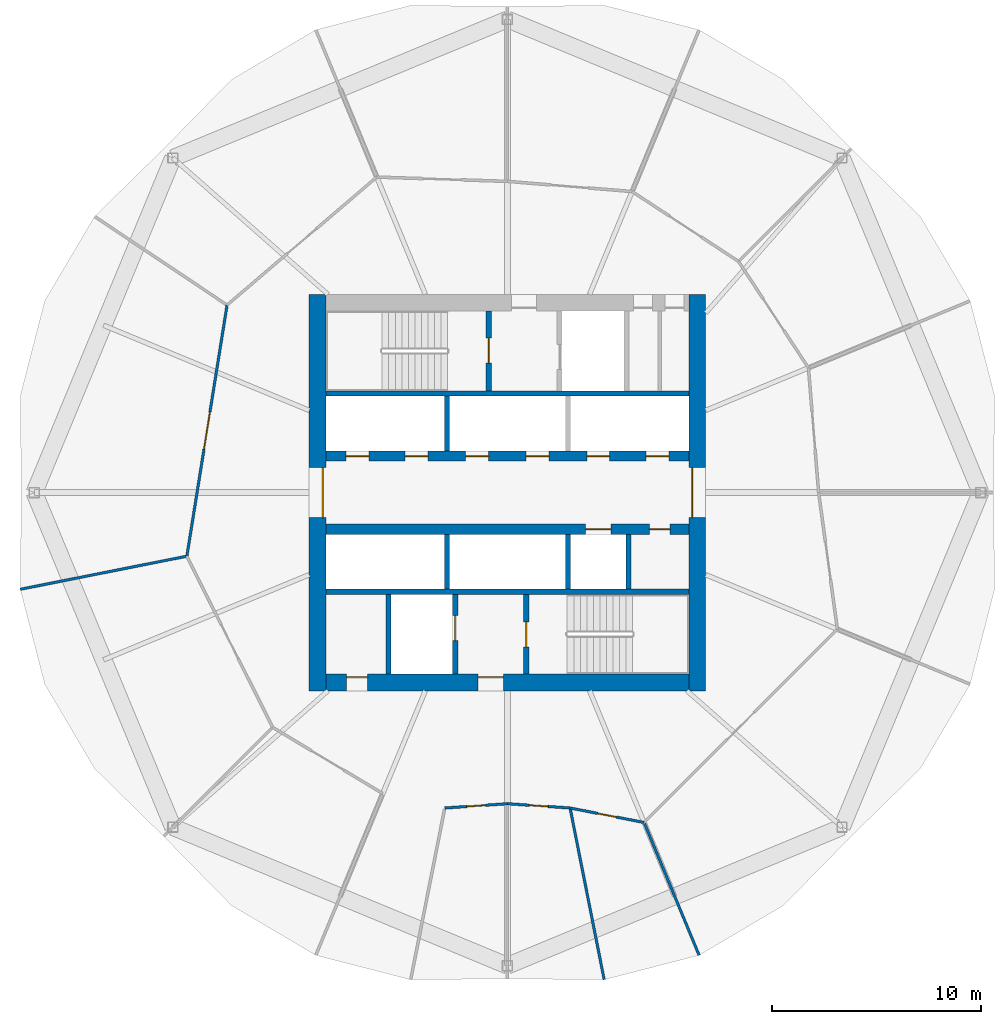
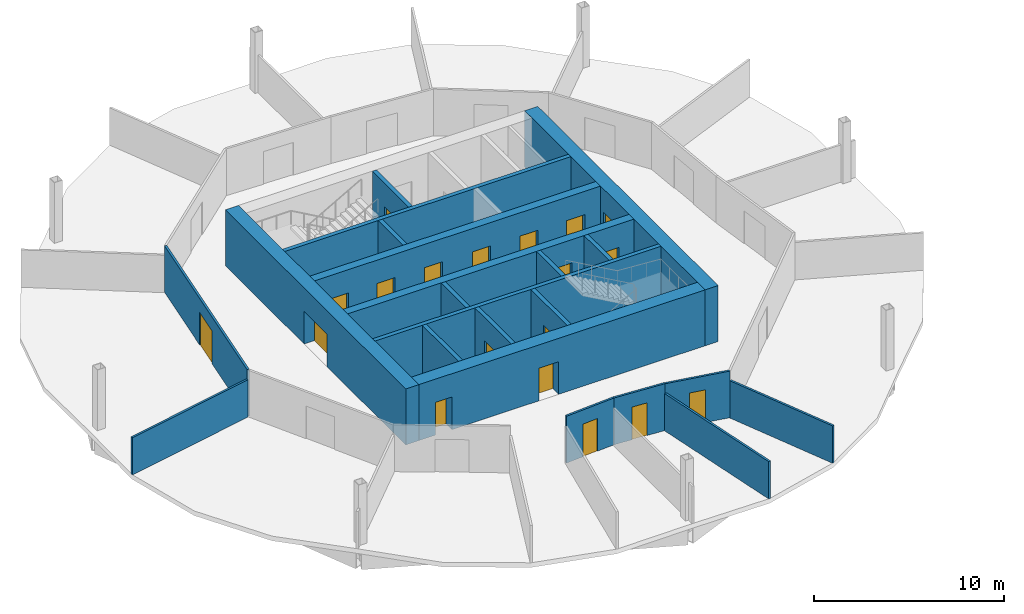
# One storey, part 4 of 9: 22 walls, 19 doors, 19 openings.
"""IFC4 building model written with IfcOpenShell, lengths in metres."""

from ifc_helpers import new_model, si_unit, direction, frame, frame_2d, origin, place, context, subcontext, project, spatial, rectangle, extrude, material, layer, layer_set, type_object, element, fill, save


model = new_model("IFC4")

# Units and contexts
model_context = context("Model", 3, precision=1e-05, world=origin(), true_north=direction((0.0, 1.0)))
body_context = subcontext(model_context, "Body", "Model", "MODEL_VIEW")
ifc_project = project(units=[si_unit("LENGTHUNIT", "METRE"), si_unit("AREAUNIT", "SQUARE_METRE"), si_unit("VOLUMEUNIT", "CUBIC_METRE"), si_unit("PLANEANGLEUNIT", "RADIAN"), si_unit("MASSUNIT", "GRAM", prefix="KILO")], contexts=[model_context])

# Site, building, storey
site_placement = place(None, origin())
site = spatial("IfcSite", under=ifc_project, at=site_placement, CompositionType="ELEMENT")
building_placement = place(site_placement, origin())
building = spatial("IfcBuilding", under=site, at=building_placement, Name="Ogive Gate Towers", CompositionType="ELEMENT")
storey_placement = place(building_placement, frame((0.0, 0.0, 84.0)))
storey = spatial("IfcBuildingStorey", under=building, at=storey_placement, Name="L19", CompositionType="ELEMENT", Elevation=84.0)

# Wall, openings, doors
ifc_material_1 = material(Name="Concrete C60/75", Category="concrete")
ifc_layer_1 = layer(ifc_material_1, 0.800048828125)
ifc_layer_set_1 = layer_set([ifc_layer_1], Name="Core wall 800 mm")
wall_type_1 = type_object("IfcWallType", Name="Core wall 800 mm", PredefinedType="SHEAR", material=ifc_layer_set_1)
wall_1_placement = place(storey_placement, frame((-44.699951171875, -9.10009765625, 0.0), z_axis=(0.0, 0.0, 1.0), x_axis=(1.0, 0.0, 0.0)))
wall_1 = element("IfcWall", 1, at=wall_1_placement, inside=storey, type_object=wall_type_1, Name="T1 L19 Core wall 800 mm", PredefinedType="SHEAR", context=body_context, shape_type="SweptSolid", body=[
    extrude(rectangle(XDim=17.39990234375, YDim=0.800048828125, at=frame_2d((8.699951171875, 0.0))), origin(), (0.0, 0.0, 1.0), 3.60009765625),
])
opening_1_placement = place(wall_1_placement, frame((7.300048828125, 0.0, 0.0)))
opening_1 = element("IfcOpeningElement", 2, at=opening_1_placement, cuts=wall_1, Name="Opening KD-T1-L19-16", PredefinedType="OPENING", context=body_context, shape_type="SweptSolid", body=[
    extrude(rectangle(XDim=1.199951171875, YDim=2.10009765625, at=frame_2d((0.60009765625, 1.050048828125))), frame((0.0, 0.41015625, 0.0), z_axis=(0.0, -1.0, 0.0), x_axis=(1.0, 0.0, 0.0)), (0.0, 0.0, 1.0), 0.820068359375),
])
opening_2_placement = place(wall_1_placement, frame((1.0, 0.0, 0.0)))
opening_2 = element("IfcOpeningElement", 3, at=opening_2_placement, cuts=wall_1, Name="Opening KD-T1-L19-19", PredefinedType="OPENING", context=body_context, shape_type="SweptSolid", body=[
    extrude(rectangle(XDim=1.0, YDim=2.10009765625, at=frame_2d((0.5, 1.050048828125))), frame((0.0, 0.41015625, 0.0), z_axis=(0.0, -1.0, 0.0), x_axis=(1.0, 0.0, 0.0)), (0.0, 0.0, 1.0), 0.820068359375),
])
ifc_material_2 = material(Name="Timber door", Category="wood")
door_type_1 = type_object("IfcDoorType", Name="Accessible WC door 1000 x 2100", OperationType="NOTDEFINED", PredefinedType="DOOR", material=ifc_material_2)
door_1_placement = place(opening_2_placement, origin())
door_1 = element("IfcDoor", 4, at=door_1_placement, inside=storey, type_object=door_type_1, Name="T1 L19 Core door", OperationType="SINGLE_SWING_RIGHT", OverallHeight=2.10009765625, OverallWidth=1.0, PredefinedType="DOOR", context=body_context, shape_type="SweptSolid", body=[
    extrude(rectangle(XDim=1.0, YDim=2.10009765625, at=frame_2d((0.5, 1.050048828125))), frame((0.0, 0.27490234375, 0.0), z_axis=(0.0, -1.0, 0.0), x_axis=(1.0, 0.0, 0.0)), (0.0, 0.0, 1.0), 0.050048828125),
])
fill(opening_2, door_1)
ifc_material_3 = material(Name="Steel fire door", Category="steel")
door_type_2 = type_object("IfcDoorType", Name="Core door FD60S 1200 x 2100", OperationType="NOTDEFINED", PredefinedType="DOOR", material=ifc_material_3)
door_2_placement = place(opening_1_placement, origin())
door_2 = element("IfcDoor", 5, at=door_2_placement, inside=storey, type_object=door_type_2, Name="T1 L19 Fire-fighting lobby door", OperationType="SINGLE_SWING_LEFT", OverallHeight=2.10009765625, OverallWidth=1.199951171875, PredefinedType="DOOR", context=body_context, shape_type="SweptSolid", body=[
    extrude(rectangle(XDim=1.199951171875, YDim=2.10009765625, at=frame_2d((0.60009765625, 1.050048828125))), frame((0.0, 0.27490234375, 0.0), z_axis=(0.0, -1.0, 0.0), x_axis=(1.0, 0.0, 0.0)), (0.0, 0.0, 1.0), 0.050048828125),
])
fill(opening_1, door_2)

# Wall, opening, door
wall_2_placement = place(storey_placement, frame((-45.10009765625, -9.5, 0.0), z_axis=(0.0, 0.0, 1.0), x_axis=(0.0, 1.0, 0.0)))
wall_2 = element("IfcWall", 6, at=wall_2_placement, inside=storey, type_object=wall_type_1, Name="T1 L19 Core wall 800 mm", PredefinedType="SHEAR", context=body_context, shape_type="SweptSolid", body=[
    extrude(rectangle(XDim=19.0, YDim=0.800048828125, at=frame_2d((9.5, 0.0))), origin(), (0.0, 0.0, 1.0), 3.60009765625),
])
opening_3_placement = place(wall_2_placement, frame((8.300048828125, 0.0, 0.0)))
opening_3 = element("IfcOpeningElement", 7, at=opening_3_placement, cuts=wall_2, Name="Opening KD-T1-L19-01", PredefinedType="OPENING", context=body_context, shape_type="SweptSolid", body=[
    extrude(rectangle(XDim=2.39990234375, YDim=2.10009765625, at=frame_2d((1.199951171875, 1.050048828125))), frame((0.0, 0.41015625, 0.0), z_axis=(0.0, -1.0, 0.0), x_axis=(1.0, 0.0, 0.0)), (0.0, 0.0, 1.0), 0.820068359375),
])
door_type_3 = type_object("IfcDoorType", Name="Core double door FD60S 2400 x 2100", OperationType="DOUBLE_DOOR_SINGLE_SWING", PredefinedType="DOOR", material=ifc_material_3)
door_3_placement = place(opening_3_placement, origin())
door_3 = element("IfcDoor", 8, at=door_3_placement, inside=storey, type_object=door_type_3, Name="T1 L19 Core door double", OperationType="DOUBLE_DOOR_SINGLE_SWING", OverallHeight=2.10009765625, OverallWidth=2.39990234375, PredefinedType="DOOR", context=body_context, shape_type="SweptSolid", body=[
    extrude(rectangle(XDim=2.39990234375, YDim=2.10009765625, at=frame_2d((1.199951171875, 1.050048828125))), frame((0.0, -0.22509765625, 0.0), z_axis=(0.0, -1.0, 0.0), x_axis=(1.0, 0.0, 0.0)), (0.0, 0.0, 1.0), 0.050048828125),
])
fill(opening_3, door_3)

wall_3_placement = place(storey_placement, frame((-26.89990234375, -9.5, 0.0), z_axis=(0.0, 0.0, 1.0), x_axis=(0.0, 1.0, 0.0)))
wall_3 = element("IfcWall", 9, at=wall_3_placement, inside=storey, type_object=wall_type_1, Name="T1 L19 Core wall 800 mm", PredefinedType="SHEAR", context=body_context, shape_type="SweptSolid", body=[
    extrude(rectangle(XDim=19.0, YDim=0.800048828125, at=frame_2d((9.5, 0.0))), origin(), (0.0, 0.0, 1.0), 3.60009765625),
])
opening_4_placement = place(wall_3_placement, frame((8.300048828125, 0.0, 0.0)))
opening_4 = element("IfcOpeningElement", 10, at=opening_4_placement, cuts=wall_3, Name="Opening KD-T1-L19-02", PredefinedType="OPENING", context=body_context, shape_type="SweptSolid", body=[
    extrude(rectangle(XDim=2.39990234375, YDim=2.10009765625, at=frame_2d((1.199951171875, 1.050048828125))), frame((0.0, 0.41015625, 0.0), z_axis=(0.0, -1.0, 0.0), x_axis=(1.0, 0.0, 0.0)), (0.0, 0.0, 1.0), 0.820068359375),
])
door_4_placement = place(opening_4_placement, origin())
door_4 = element("IfcDoor", 11, at=door_4_placement, inside=storey, type_object=door_type_3, Name="T1 L19 Core door double", OperationType="DOUBLE_DOOR_SINGLE_SWING", OverallHeight=2.10009765625, OverallWidth=2.39990234375, PredefinedType="DOOR", context=body_context, shape_type="SweptSolid", body=[
    extrude(rectangle(XDim=2.39990234375, YDim=2.10009765625, at=frame_2d((1.199951171875, 1.050048828125))), frame((0.0, 0.27490234375, 0.0), z_axis=(0.0, -1.0, 0.0), x_axis=(1.0, 0.0, 0.0)), (0.0, 0.0, 1.0), 0.050048828125),
])
fill(opening_4, door_4)

# Walls
ifc_material_4 = material(Name="Gypsum board partition")
ifc_layer_2 = layer(ifc_material_4, 0.125)
ifc_layer_set_2 = layer_set([ifc_layer_2], Name="Partition 125")
wall_type_2 = type_object("IfcWallType", Name="Partition 125", PredefinedType="PARTITIONING", material=ifc_layer_set_2)
wall_4_placement = place(storey_placement, frame((-59.34375, -4.6357421875, 0.0), z_axis=(0.0, 0.0, 1.0), x_axis=(0.980844858088, 0.194790565382, 0.0)))
element("IfcWall", 12, at=wall_4_placement, inside=storey, type_object=wall_type_2, Name="Partition T1-L19-008", PredefinedType="PARTITIONING", context=body_context, shape_type="SweptSolid", body=[
    extrude(rectangle(XDim=8.07666015625, YDim=0.125, at=frame_2d((4.038330078125, 0.0))), origin(), (0.0, 0.0, 1.0), 2.39990234375),
])
wall_5_placement = place(storey_placement, frame((-31.3642578125, -23.34375, 0.0), z_axis=(0.0, 0.0, 1.0), x_axis=(-0.194779590765, 0.980847037525, 0.0)))
element("IfcWall", 13, at=wall_5_placement, inside=storey, type_object=wall_type_2, Name="Partition T1-L19-013", PredefinedType="PARTITIONING", context=body_context, shape_type="SweptSolid", body=[
    extrude(rectangle(XDim=8.326416015625, YDim=0.125, at=frame_2d((4.1630859375, 0.0))), origin(), (0.0, 0.0, 1.0), 2.39990234375),
])
wall_6_placement = place(storey_placement, frame((-26.815673828125, -22.173095703125, 0.0), z_axis=(0.0, 0.0, 1.0), x_axis=(-0.382671864206, 0.923884324115, 0.0)))
element("IfcWall", 14, at=wall_6_placement, inside=storey, type_object=wall_type_2, Name="Partition T1-L19-014", PredefinedType="PARTITIONING", context=body_context, shape_type="SweptSolid", body=[
    extrude(rectangle(XDim=6.826416015625, YDim=0.125, at=frame_2d((3.4130859375, 0.0))), origin(), (0.0, 0.0, 1.0), 2.39990234375),
])

# Wall, opening, door
wall_7_placement = place(storey_placement, frame((-39.001708984375, -15.115478515625, 0.0), z_axis=(0.0, 0.0, 1.0), x_axis=(0.997663247132, 0.068323095086, 0.0)))
wall_7 = element("IfcWall", 15, at=wall_7_placement, inside=storey, type_object=wall_type_2, Name="Partition T1-L19-016", PredefinedType="PARTITIONING", context=body_context, shape_type="SweptSolid", body=[
    extrude(rectangle(XDim=3.0087890625, YDim=0.125, at=frame_2d((1.50439453125, 0.0))), origin(), (0.0, 0.0, 1.0), 3.010009765625),
])
opening_5_placement = place(wall_7_placement, frame((1.053955078125, 0.0, 0.0)))
opening_5 = element("IfcOpeningElement", 16, at=opening_5_placement, cuts=wall_7, Name="Opening T1-L19-D01", PredefinedType="OPENING", context=body_context, shape_type="SweptSolid", body=[
    extrude(rectangle(XDim=0.89990234375, YDim=2.10009765625, at=frame_2d((0.449951171875, 1.050048828125))), frame((0.0, 0.072509765625, 0.0), z_axis=(0.0, -1.0, 0.0), x_axis=(1.0, 0.0, 0.0)), (0.0, 0.0, 1.0), 0.14501953125),
])
door_type_4 = type_object("IfcDoorType", Name="Door 900", OperationType="NOTDEFINED", PredefinedType="DOOR", material=ifc_material_2)
door_5_placement = place(opening_5_placement, origin())
door_5 = element("IfcDoor", 17, at=door_5_placement, inside=storey, type_object=door_type_4, Name="Door T1-L19-D01", OperationType="SINGLE_SWING_RIGHT", OverallHeight=2.10009765625, OverallWidth=0.89990234375, PredefinedType="DOOR", context=body_context, shape_type="SweptSolid", body=[
    extrude(rectangle(XDim=0.89990234375, YDim=2.10009765625, at=frame_2d((0.449951171875, 1.050048828125))), frame((0.0, 0.02490234375, 0.0), z_axis=(0.0, -1.0, 0.0), x_axis=(1.0, 0.0, 0.0)), (0.0, 0.0, 1.0), 0.050048828125),
])
fill(opening_5, door_5)

wall_8_placement = place(storey_placement, frame((-36.0, -14.909912109375, 0.0), z_axis=(0.0, 0.0, 1.0), x_axis=(0.997663247132, -0.068323095086, 0.0)))
wall_8 = element("IfcWall", 18, at=wall_8_placement, inside=storey, type_object=wall_type_2, Name="Partition T1-L19-017", PredefinedType="PARTITIONING", context=body_context, shape_type="SweptSolid", body=[
    extrude(rectangle(XDim=3.0087890625, YDim=0.125, at=frame_2d((1.50439453125, 0.0))), origin(), (0.0, 0.0, 1.0), 3.010009765625),
])
opening_6_placement = place(wall_8_placement, frame((1.053955078125, 0.0, 0.0)))
opening_6 = element("IfcOpeningElement", 19, at=opening_6_placement, cuts=wall_8, Name="Opening T1-L19-D02", PredefinedType="OPENING", context=body_context, shape_type="SweptSolid", body=[
    extrude(rectangle(XDim=0.89990234375, YDim=2.10009765625, at=frame_2d((0.449951171875, 1.050048828125))), frame((0.0, 0.072509765625, 0.0), z_axis=(0.0, -1.0, 0.0), x_axis=(1.0, 0.0, 0.0)), (0.0, 0.0, 1.0), 0.14501953125),
])
door_6_placement = place(opening_6_placement, origin())
door_6 = element("IfcDoor", 20, at=door_6_placement, inside=storey, type_object=door_type_4, Name="Door T1-L19-D02", OperationType="SINGLE_SWING_LEFT", OverallHeight=2.10009765625, OverallWidth=0.89990234375, PredefinedType="DOOR", context=body_context, shape_type="SweptSolid", body=[
    extrude(rectangle(XDim=0.89990234375, YDim=2.10009765625, at=frame_2d((0.449951171875, 1.050048828125))), frame((0.0, 0.02490234375, 0.0), z_axis=(0.0, -1.0, 0.0), x_axis=(1.0, 0.0, 0.0)), (0.0, 0.0, 1.0), 0.050048828125),
])
fill(opening_6, door_6)

wall_9_placement = place(storey_placement, frame((-32.998291015625, -15.115478515625, 0.0), z_axis=(0.0, 0.0, 1.0), x_axis=(0.981431383332, -0.191813554817, 0.0)))
wall_9 = element("IfcWall", 21, at=wall_9_placement, inside=storey, type_object=wall_type_2, Name="Partition T1-L19-018", PredefinedType="PARTITIONING", context=body_context, shape_type="SweptSolid", body=[
    extrude(rectangle(XDim=3.613525390625, YDim=0.125, at=frame_2d((1.806640625, 0.0))), origin(), (0.0, 0.0, 1.0), 3.0),
])
opening_7_placement = place(wall_9_placement, frame((1.35693359375, 0.0, 0.0)))
opening_7 = element("IfcOpeningElement", 22, at=opening_7_placement, cuts=wall_9, Name="Opening T1-L19-D03", PredefinedType="OPENING", context=body_context, shape_type="SweptSolid", body=[
    extrude(rectangle(XDim=0.89990234375, YDim=2.10009765625, at=frame_2d((0.449951171875, 1.050048828125))), frame((0.0, 0.072509765625, 0.0), z_axis=(0.0, -1.0, 0.0), x_axis=(1.0, 0.0, 0.0)), (0.0, 0.0, 1.0), 0.14501953125),
])
door_7_placement = place(opening_7_placement, origin())
door_7 = element("IfcDoor", 23, at=door_7_placement, inside=storey, type_object=door_type_4, Name="Door T1-L19-D03", OperationType="SINGLE_SWING_RIGHT", OverallHeight=2.10009765625, OverallWidth=0.89990234375, PredefinedType="DOOR", context=body_context, shape_type="SweptSolid", body=[
    extrude(rectangle(XDim=0.89990234375, YDim=2.10009765625, at=frame_2d((0.449951171875, 1.050048828125))), frame((0.0, 0.02490234375, 0.0), z_axis=(0.0, -1.0, 0.0), x_axis=(1.0, 0.0, 0.0)), (0.0, 0.0, 1.0), 0.050048828125),
])
fill(opening_7, door_7)

wall_10_placement = place(storey_placement, frame((-49.43408203125, 8.982666015625, 0.0), z_axis=(0.0, 0.0, 1.0), x_axis=(-0.158089733584, -0.987424749606, 0.0)))
wall_10 = element("IfcWall", 24, at=wall_10_placement, inside=storey, type_object=wall_type_2, Name="Partition T1-L19-027", PredefinedType="PARTITIONING", context=body_context, shape_type="SweptSolid", body=[
    extrude(rectangle(XDim=12.186279296875, YDim=0.125, at=frame_2d((6.09326171875, 0.0))), origin(), (0.0, 0.0, 1.0), 3.0),
])
opening_8_placement = place(wall_10_placement, frame((5.193115234375, 0.0, 0.0)))
opening_8 = element("IfcOpeningElement", 25, at=opening_8_placement, cuts=wall_10, Name="Opening T1-L19-D12", PredefinedType="OPENING", context=body_context, shape_type="SweptSolid", body=[
    extrude(rectangle(XDim=1.800048828125, YDim=2.10009765625, at=frame_2d((0.89990234375, 1.050048828125))), frame((0.0, 0.072509765625, 0.0), z_axis=(0.0, -1.0, 0.0), x_axis=(1.0, 0.0, 0.0)), (0.0, 0.0, 1.0), 0.14501953125),
])
door_type_5 = type_object("IfcDoorType", Name="Door pair 1800", OperationType="NOTDEFINED", PredefinedType="DOOR", material=ifc_material_2)
door_8_placement = place(opening_8_placement, origin())
door_8 = element("IfcDoor", 26, at=door_8_placement, inside=storey, type_object=door_type_5, Name="Door T1-L19-D12", OperationType="DOUBLE_DOOR_DOUBLE_SWING", OverallHeight=2.10009765625, OverallWidth=1.800048828125, PredefinedType="DOOR", context=body_context, shape_type="SweptSolid", body=[
    extrude(rectangle(XDim=1.800048828125, YDim=2.10009765625, at=frame_2d((0.89990234375, 1.050048828125))), frame((0.0, 0.02490234375, 0.0), z_axis=(0.0, -1.0, 0.0), x_axis=(1.0, 0.0, 0.0)), (0.0, 0.0, 1.0), 0.050048828125),
])
fill(opening_8, door_8)

# Walls
ifc_layer_3 = layer(ifc_material_1, 0.25)
ifc_layer_set_3 = layer_set([ifc_layer_3], Name="Shaft wall 250 mm")
wall_type_3 = type_object("IfcWallType", Name="Shaft wall 250 mm", PredefinedType="SHEAR", material=ifc_layer_set_3)
for number, where, z_axis, x_axis, name in (
    (27, (-44.699951171875, -4.75, 0.0), (0.0, 0.0, 1.0), (1.0, 0.0, 0.0), "T1 L19 Shaft wall 250 mm"),
    (28, (-44.699951171875, 4.75, 0.0), (0.0, 0.0, 1.0), (1.0, 0.0, 0.0), "T1 L19 Shaft wall 250 mm"),
):
    element("IfcWall", number, at=place(storey_placement, frame(where, z_axis=z_axis, x_axis=x_axis)), inside=storey, type_object=wall_type_3, Name=name, PredefinedType="SHEAR", context=body_context, shape_type="SweptSolid", body=[
        extrude(rectangle(XDim=17.39990234375, YDim=0.25, at=frame_2d((8.699951171875, 0.0))), origin(), (0.0, 0.0, 1.0), 3.60009765625),
    ])
wall_11_placement = place(storey_placement, frame((-41.699951171875, -8.699951171875, 0.0), z_axis=(0.0, 0.0, 1.0), x_axis=(0.0, 1.0, 0.0)))
element("IfcWall", 29, at=wall_11_placement, inside=storey, type_object=wall_type_3, Name="T1 L19 Shaft wall 250 mm", PredefinedType="SHEAR", context=body_context, shape_type="SweptSolid", body=[
    extrude(rectangle(XDim=3.824951171875, YDim=0.25, at=frame_2d((1.91259765625, 0.0))), origin(), (0.0, 0.0, 1.0), 3.60009765625),
])
for number, where, z_axis, x_axis, name in (
    (30, (-38.89990234375, -4.625, 0.0), (0.0, 0.0, 1.0), (0.0, 1.0, 0.0), "T1 L19 Shaft wall 250 mm"),
    (31, (-38.89990234375, 2.0, 0.0), (0.0, 0.0, 1.0), (0.0, 1.0, 0.0), "T1 L19 Shaft wall 250 mm"),
):
    element("IfcWall", number, at=place(storey_placement, frame(where, z_axis=z_axis, x_axis=x_axis)), inside=storey, type_object=wall_type_3, Name=name, PredefinedType="SHEAR", context=body_context, shape_type="SweptSolid", body=[
        extrude(rectangle(XDim=2.625, YDim=0.25, at=frame_2d((1.3125, 0.0))), origin(), (0.0, 0.0, 1.0), 3.60009765625),
    ])

# Wall, opening, door
wall_12_placement = place(storey_placement, frame((-38.5, -8.699951171875, 0.0), z_axis=(0.0, 0.0, 1.0), x_axis=(0.0, 1.0, 0.0)))
wall_12 = element("IfcWall", 32, at=wall_12_placement, inside=storey, type_object=wall_type_3, Name="T1 L19 Shaft wall 250 mm", PredefinedType="SHEAR", context=body_context, shape_type="SweptSolid", body=[
    extrude(rectangle(XDim=3.824951171875, YDim=0.25, at=frame_2d((1.91259765625, 0.0))), origin(), (0.0, 0.0, 1.0), 3.60009765625),
])
opening_9_placement = place(wall_12_placement, frame((1.60009765625, 0.0, 0.0)))
opening_9 = element("IfcOpeningElement", 33, at=opening_9_placement, cuts=wall_12, Name="Opening LD-T1-L19-11", PredefinedType="OPENING", context=body_context, shape_type="SweptSolid", body=[
    extrude(rectangle(XDim=1.199951171875, YDim=2.10009765625, at=frame_2d((0.60009765625, 1.050048828125))), frame((0.0, 0.135009765625, 0.0), z_axis=(0.0, -1.0, 0.0), x_axis=(1.0, 0.0, 0.0)), (0.0, 0.0, 1.0), 0.27001953125),
])
ifc_material_5 = material(Name="Stainless steel landing door", Category="steel")
door_type_6 = type_object("IfcDoorType", Name="Landing door 1200 x 2100", OperationType="SLIDING_TO_LEFT", PredefinedType="DOOR", material=ifc_material_5)
door_9_placement = place(opening_9_placement, origin())
door_9 = element("IfcDoor", 34, at=door_9_placement, inside=storey, type_object=door_type_6, Name="T1 L19 Lift landing door FF2", OperationType="SLIDING_TO_LEFT", OverallHeight=2.10009765625, OverallWidth=1.199951171875, PredefinedType="DOOR", context=body_context, shape_type="SweptSolid", body=[
    extrude(rectangle(XDim=1.199951171875, YDim=2.10009765625, at=frame_2d((0.60009765625, 1.050048828125))), frame((0.0, 0.02490234375, 0.0), z_axis=(0.0, -1.0, 0.0), x_axis=(1.0, 0.0, 0.0)), (0.0, 0.0, 1.0), 0.050048828125),
])
fill(opening_9, door_9)

wall_13_placement = place(storey_placement, frame((-36.89990234375, 4.875, 0.0), z_axis=(0.0, 0.0, 1.0), x_axis=(0.0, 1.0, 0.0)))
wall_13 = element("IfcWall", 35, at=wall_13_placement, inside=storey, type_object=wall_type_3, Name="T1 L19 Shaft wall 250 mm", PredefinedType="SHEAR", context=body_context, shape_type="SweptSolid", body=[
    extrude(rectangle(XDim=3.824951171875, YDim=0.25, at=frame_2d((1.91259765625, 0.0))), origin(), (0.0, 0.0, 1.0), 3.60009765625),
])
opening_10_placement = place(wall_13_placement, frame((1.324951171875, 0.0, 0.0)))
opening_10 = element("IfcOpeningElement", 36, at=opening_10_placement, cuts=wall_13, Name="Opening KD-T1-L19-13", PredefinedType="OPENING", context=body_context, shape_type="SweptSolid", body=[
    extrude(rectangle(XDim=1.199951171875, YDim=2.10009765625, at=frame_2d((0.60009765625, 1.050048828125))), frame((0.0, 0.135009765625, 0.0), z_axis=(0.0, -1.0, 0.0), x_axis=(1.0, 0.0, 0.0)), (0.0, 0.0, 1.0), 0.27001953125),
])
door_10_placement = place(opening_10_placement, origin())
door_10 = element("IfcDoor", 37, at=door_10_placement, inside=storey, type_object=door_type_2, Name="T1 L19 Stair door", OperationType="SINGLE_SWING_RIGHT", OverallHeight=2.10009765625, OverallWidth=1.199951171875, PredefinedType="DOOR", context=body_context, shape_type="SweptSolid", body=[
    extrude(rectangle(XDim=1.199951171875, YDim=2.10009765625, at=frame_2d((0.60009765625, 1.050048828125))), frame((0.0, 0.02490234375, 0.0), z_axis=(0.0, -1.0, 0.0), x_axis=(1.0, 0.0, 0.0)), (0.0, 0.0, 1.0), 0.050048828125),
])
fill(opening_10, door_10)

wall_14_placement = place(storey_placement, frame((-35.10009765625, -8.699951171875, 0.0), z_axis=(0.0, 0.0, 1.0), x_axis=(0.0, 1.0, 0.0)))
wall_14 = element("IfcWall", 38, at=wall_14_placement, inside=storey, type_object=wall_type_3, Name="T1 L19 Shaft wall 250 mm", PredefinedType="SHEAR", context=body_context, shape_type="SweptSolid", body=[
    extrude(rectangle(XDim=3.824951171875, YDim=0.25, at=frame_2d((1.91259765625, 0.0))), origin(), (0.0, 0.0, 1.0), 3.60009765625),
])
opening_11_placement = place(wall_14_placement, frame((1.300048828125, 0.0, 0.0)))
opening_11 = element("IfcOpeningElement", 39, at=opening_11_placement, cuts=wall_14, Name="Opening KD-T1-L19-14", PredefinedType="OPENING", context=body_context, shape_type="SweptSolid", body=[
    extrude(rectangle(XDim=1.199951171875, YDim=2.10009765625, at=frame_2d((0.60009765625, 1.050048828125))), frame((0.0, 0.135009765625, 0.0), z_axis=(0.0, -1.0, 0.0), x_axis=(1.0, 0.0, 0.0)), (0.0, 0.0, 1.0), 0.27001953125),
])
door_11_placement = place(opening_11_placement, origin())
door_11 = element("IfcDoor", 40, at=door_11_placement, inside=storey, type_object=door_type_2, Name="T1 L19 Stair door", OperationType="SINGLE_SWING_LEFT", OverallHeight=2.10009765625, OverallWidth=1.199951171875, PredefinedType="DOOR", context=body_context, shape_type="SweptSolid", body=[
    extrude(rectangle(XDim=1.199951171875, YDim=2.10009765625, at=frame_2d((0.60009765625, 1.050048828125))), frame((0.0, 0.02490234375, 0.0), z_axis=(0.0, -1.0, 0.0), x_axis=(1.0, 0.0, 0.0)), (0.0, 0.0, 1.0), 0.050048828125),
])
fill(opening_11, door_11)

# Walls
for number, where, z_axis, x_axis, name in (
    (41, (-33.10009765625, -4.625, 0.0), (0.0, 0.0, 1.0), (0.0, 1.0, 0.0), "T1 L19 Shaft wall 250 mm"),
    (42, (-30.199951171875, -4.625, 0.0), (0.0, 0.0, 1.0), (0.0, 1.0, 0.0), "T1 L19 Shaft wall 250 mm"),
):
    element("IfcWall", number, at=place(storey_placement, frame(where, z_axis=z_axis, x_axis=x_axis)), inside=storey, type_object=wall_type_3, Name=name, PredefinedType="SHEAR", context=body_context, shape_type="SweptSolid", body=[
        extrude(rectangle(XDim=2.625, YDim=0.25, at=frame_2d((1.3125, 0.0))), origin(), (0.0, 0.0, 1.0), 3.60009765625),
    ])

# Wall, openings, doors
ifc_layer_4 = layer(ifc_material_1, 0.5)
ifc_layer_set_4 = layer_set([ifc_layer_4], Name="Spine wall 500 mm")
wall_type_4 = type_object("IfcWallType", Name="Spine wall 500 mm", PredefinedType="SHEAR", material=ifc_layer_set_4)
wall_15_placement = place(storey_placement, frame((-44.699951171875, -1.75, 0.0), z_axis=(0.0, 0.0, 1.0), x_axis=(1.0, 0.0, 0.0)))
wall_15 = element("IfcWall", 43, at=wall_15_placement, inside=storey, type_object=wall_type_4, Name="T1 L19 Spine wall 500 mm", PredefinedType="SHEAR", context=body_context, shape_type="SweptSolid", body=[
    extrude(rectangle(XDim=17.39990234375, YDim=0.5, at=frame_2d((8.699951171875, 0.0))), origin(), (0.0, 0.0, 1.0), 3.60009765625),
])
opening_12_placement = place(wall_15_placement, frame((12.449951171875, 0.0, 0.0)))
opening_12 = element("IfcOpeningElement", 44, at=opening_12_placement, cuts=wall_15, Name="Opening LD-T1-L19-09", PredefinedType="OPENING", context=body_context, shape_type="SweptSolid", body=[
    extrude(rectangle(XDim=1.199951171875, YDim=2.10009765625, at=frame_2d((0.60009765625, 1.050048828125))), frame((0.0, 0.260009765625, 0.0), z_axis=(0.0, -1.0, 0.0), x_axis=(1.0, 0.0, 0.0)), (0.0, 0.0, 1.0), 0.52001953125),
])
opening_13_placement = place(wall_15_placement, frame((15.5, 0.0, 0.0)))
opening_13 = element("IfcOpeningElement", 45, at=opening_13_placement, cuts=wall_15, Name="Opening KD-T1-L19-12", PredefinedType="OPENING", context=body_context, shape_type="SweptSolid", body=[
    extrude(rectangle(XDim=1.0, YDim=2.10009765625, at=frame_2d((0.5, 1.050048828125))), frame((0.0, 0.260009765625, 0.0), z_axis=(0.0, -1.0, 0.0), x_axis=(1.0, 0.0, 0.0)), (0.0, 0.0, 1.0), 0.52001953125),
])
door_type_7 = type_object("IfcDoorType", Name="Core door FD60S 1000 x 2100", OperationType="NOTDEFINED", PredefinedType="DOOR", material=ifc_material_3)
door_12_placement = place(opening_13_placement, origin())
door_12 = element("IfcDoor", 46, at=door_12_placement, inside=storey, type_object=door_type_7, Name="T1 L19 Core door", OperationType="SINGLE_SWING_LEFT", OverallHeight=2.10009765625, OverallWidth=1.0, PredefinedType="DOOR", context=body_context, shape_type="SweptSolid", body=[
    extrude(rectangle(XDim=1.0, YDim=2.10009765625, at=frame_2d((0.5, 1.050048828125))), frame((0.0, 0.02490234375, 0.0), z_axis=(0.0, -1.0, 0.0), x_axis=(1.0, 0.0, 0.0)), (0.0, 0.0, 1.0), 0.050048828125),
])
fill(opening_13, door_12)
door_13_placement = place(opening_12_placement, origin())
door_13 = element("IfcDoor", 47, at=door_13_placement, inside=storey, type_object=door_type_6, Name="T1 L19 Lift landing door SVC", OperationType="SLIDING_TO_LEFT", OverallHeight=2.10009765625, OverallWidth=1.199951171875, PredefinedType="DOOR", context=body_context, shape_type="SweptSolid", body=[
    extrude(rectangle(XDim=1.199951171875, YDim=2.10009765625, at=frame_2d((0.60009765625, 1.050048828125))), frame((0.0, 0.02490234375, 0.0), z_axis=(0.0, -1.0, 0.0), x_axis=(1.0, 0.0, 0.0)), (0.0, 0.0, 1.0), 0.050048828125),
])
fill(opening_12, door_13)

wall_16_placement = place(storey_placement, frame((-44.699951171875, 1.75, 0.0), z_axis=(0.0, 0.0, 1.0), x_axis=(1.0, 0.0, 0.0)))
wall_16 = element("IfcWall", 48, at=wall_16_placement, inside=storey, type_object=wall_type_4, Name="T1 L19 Spine wall 500 mm", PredefinedType="SHEAR", context=body_context, shape_type="SweptSolid", body=[
    extrude(rectangle(XDim=17.39990234375, YDim=0.5, at=frame_2d((8.699951171875, 0.0))), origin(), (0.0, 0.0, 1.0), 3.60009765625),
])
opening_14_placement = place(wall_16_placement, frame((0.96240234375, 0.0, 0.0)))
opening_14 = element("IfcOpeningElement", 49, at=opening_14_placement, cuts=wall_16, Name="Opening LD-T1-L19-03", PredefinedType="OPENING", context=body_context, shape_type="SweptSolid", body=[
    extrude(rectangle(XDim=1.10009765625, YDim=2.10009765625, at=frame_2d((0.550048828125, 1.050048828125))), frame((0.0, 0.260009765625, 0.0), z_axis=(0.0, -1.0, 0.0), x_axis=(1.0, 0.0, 0.0)), (0.0, 0.0, 1.0), 0.52001953125),
])
opening_15_placement = place(wall_16_placement, frame((3.800048828125, 0.0, 0.0)))
opening_15 = element("IfcOpeningElement", 50, at=opening_15_placement, cuts=wall_16, Name="Opening LD-T1-L19-04", PredefinedType="OPENING", context=body_context, shape_type="SweptSolid", body=[
    extrude(rectangle(XDim=1.10009765625, YDim=2.10009765625, at=frame_2d((0.550048828125, 1.050048828125))), frame((0.0, 0.260009765625, 0.0), z_axis=(0.0, -1.0, 0.0), x_axis=(1.0, 0.0, 0.0)), (0.0, 0.0, 1.0), 0.52001953125),
])
opening_16_placement = place(wall_16_placement, frame((6.699951171875, 0.0, 0.0)))
opening_16 = element("IfcOpeningElement", 51, at=opening_16_placement, cuts=wall_16, Name="Opening LD-T1-L19-05", PredefinedType="OPENING", context=body_context, shape_type="SweptSolid", body=[
    extrude(rectangle(XDim=1.10009765625, YDim=2.10009765625, at=frame_2d((0.550048828125, 1.050048828125))), frame((0.0, 0.260009765625, 0.0), z_axis=(0.0, -1.0, 0.0), x_axis=(1.0, 0.0, 0.0)), (0.0, 0.0, 1.0), 0.52001953125),
])
opening_17_placement = place(wall_16_placement, frame((9.60009765625, 0.0, 0.0)))
opening_17 = element("IfcOpeningElement", 52, at=opening_17_placement, cuts=wall_16, Name="Opening LD-T1-L19-06", PredefinedType="OPENING", context=body_context, shape_type="SweptSolid", body=[
    extrude(rectangle(XDim=1.10009765625, YDim=2.10009765625, at=frame_2d((0.550048828125, 1.050048828125))), frame((0.0, 0.260009765625, 0.0), z_axis=(0.0, -1.0, 0.0), x_axis=(1.0, 0.0, 0.0)), (0.0, 0.0, 1.0), 0.52001953125),
])
opening_18_placement = place(wall_16_placement, frame((12.5, 0.0, 0.0)))
opening_18 = element("IfcOpeningElement", 53, at=opening_18_placement, cuts=wall_16, Name="Opening LD-T1-L19-07", PredefinedType="OPENING", context=body_context, shape_type="SweptSolid", body=[
    extrude(rectangle(XDim=1.10009765625, YDim=2.10009765625, at=frame_2d((0.550048828125, 1.050048828125))), frame((0.0, 0.260009765625, 0.0), z_axis=(0.0, -1.0, 0.0), x_axis=(1.0, 0.0, 0.0)), (0.0, 0.0, 1.0), 0.52001953125),
])
opening_19_placement = place(wall_16_placement, frame((15.33740234375, 0.0, 0.0)))
opening_19 = element("IfcOpeningElement", 54, at=opening_19_placement, cuts=wall_16, Name="Opening LD-T1-L19-08", PredefinedType="OPENING", context=body_context, shape_type="SweptSolid", body=[
    extrude(rectangle(XDim=1.10009765625, YDim=2.10009765625, at=frame_2d((0.550048828125, 1.050048828125))), frame((0.0, 0.260009765625, 0.0), z_axis=(0.0, -1.0, 0.0), x_axis=(1.0, 0.0, 0.0)), (0.0, 0.0, 1.0), 0.52001953125),
])
door_type_8 = type_object("IfcDoorType", Name="Landing door 1100 x 2100", OperationType="SLIDING_TO_LEFT", PredefinedType="DOOR", material=ifc_material_5)
door_14_placement = place(opening_14_placement, origin())
door_14 = element("IfcDoor", 55, at=door_14_placement, inside=storey, type_object=door_type_8, Name="T1 L19 Lift landing door A1", OperationType="SLIDING_TO_LEFT", OverallHeight=2.10009765625, OverallWidth=1.10009765625, PredefinedType="DOOR", context=body_context, shape_type="SweptSolid", body=[
    extrude(rectangle(XDim=1.10009765625, YDim=2.10009765625, at=frame_2d((0.550048828125, 1.050048828125))), frame((0.0, 0.02490234375, 0.0), z_axis=(0.0, -1.0, 0.0), x_axis=(1.0, 0.0, 0.0)), (0.0, 0.0, 1.0), 0.050048828125),
])
fill(opening_14, door_14)
door_15_placement = place(opening_15_placement, origin())
door_15 = element("IfcDoor", 56, at=door_15_placement, inside=storey, type_object=door_type_8, Name="T1 L19 Lift landing door A2", OperationType="SLIDING_TO_LEFT", OverallHeight=2.10009765625, OverallWidth=1.10009765625, PredefinedType="DOOR", context=body_context, shape_type="SweptSolid", body=[
    extrude(rectangle(XDim=1.10009765625, YDim=2.10009765625, at=frame_2d((0.550048828125, 1.050048828125))), frame((0.0, 0.02490234375, 0.0), z_axis=(0.0, -1.0, 0.0), x_axis=(1.0, 0.0, 0.0)), (0.0, 0.0, 1.0), 0.050048828125),
])
fill(opening_15, door_15)
door_16_placement = place(opening_16_placement, origin())
door_16 = element("IfcDoor", 57, at=door_16_placement, inside=storey, type_object=door_type_8, Name="T1 L19 Lift landing door A3", OperationType="SLIDING_TO_LEFT", OverallHeight=2.10009765625, OverallWidth=1.10009765625, PredefinedType="DOOR", context=body_context, shape_type="SweptSolid", body=[
    extrude(rectangle(XDim=1.10009765625, YDim=2.10009765625, at=frame_2d((0.550048828125, 1.050048828125))), frame((0.0, 0.02490234375, 0.0), z_axis=(0.0, -1.0, 0.0), x_axis=(1.0, 0.0, 0.0)), (0.0, 0.0, 1.0), 0.050048828125),
])
fill(opening_16, door_16)
door_17_placement = place(opening_17_placement, origin())
door_17 = element("IfcDoor", 58, at=door_17_placement, inside=storey, type_object=door_type_8, Name="T1 L19 Lift landing door A4", OperationType="SLIDING_TO_LEFT", OverallHeight=2.10009765625, OverallWidth=1.10009765625, PredefinedType="DOOR", context=body_context, shape_type="SweptSolid", body=[
    extrude(rectangle(XDim=1.10009765625, YDim=2.10009765625, at=frame_2d((0.550048828125, 1.050048828125))), frame((0.0, 0.02490234375, 0.0), z_axis=(0.0, -1.0, 0.0), x_axis=(1.0, 0.0, 0.0)), (0.0, 0.0, 1.0), 0.050048828125),
])
fill(opening_17, door_17)
door_18_placement = place(opening_18_placement, origin())
door_18 = element("IfcDoor", 59, at=door_18_placement, inside=storey, type_object=door_type_8, Name="T1 L19 Lift landing door A5", OperationType="SLIDING_TO_LEFT", OverallHeight=2.10009765625, OverallWidth=1.10009765625, PredefinedType="DOOR", context=body_context, shape_type="SweptSolid", body=[
    extrude(rectangle(XDim=1.10009765625, YDim=2.10009765625, at=frame_2d((0.550048828125, 1.050048828125))), frame((0.0, 0.02490234375, 0.0), z_axis=(0.0, -1.0, 0.0), x_axis=(1.0, 0.0, 0.0)), (0.0, 0.0, 1.0), 0.050048828125),
])
fill(opening_18, door_18)
door_19_placement = place(opening_19_placement, origin())
door_19 = element("IfcDoor", 60, at=door_19_placement, inside=storey, type_object=door_type_8, Name="T1 L19 Lift landing door A6", OperationType="SLIDING_TO_LEFT", OverallHeight=2.10009765625, OverallWidth=1.10009765625, PredefinedType="DOOR", context=body_context, shape_type="SweptSolid", body=[
    extrude(rectangle(XDim=1.10009765625, YDim=2.10009765625, at=frame_2d((0.550048828125, 1.050048828125))), frame((0.0, 0.02490234375, 0.0), z_axis=(0.0, -1.0, 0.0), x_axis=(1.0, 0.0, 0.0)), (0.0, 0.0, 1.0), 0.050048828125),
])
fill(opening_19, door_19)

save(model, "model.ifc")
